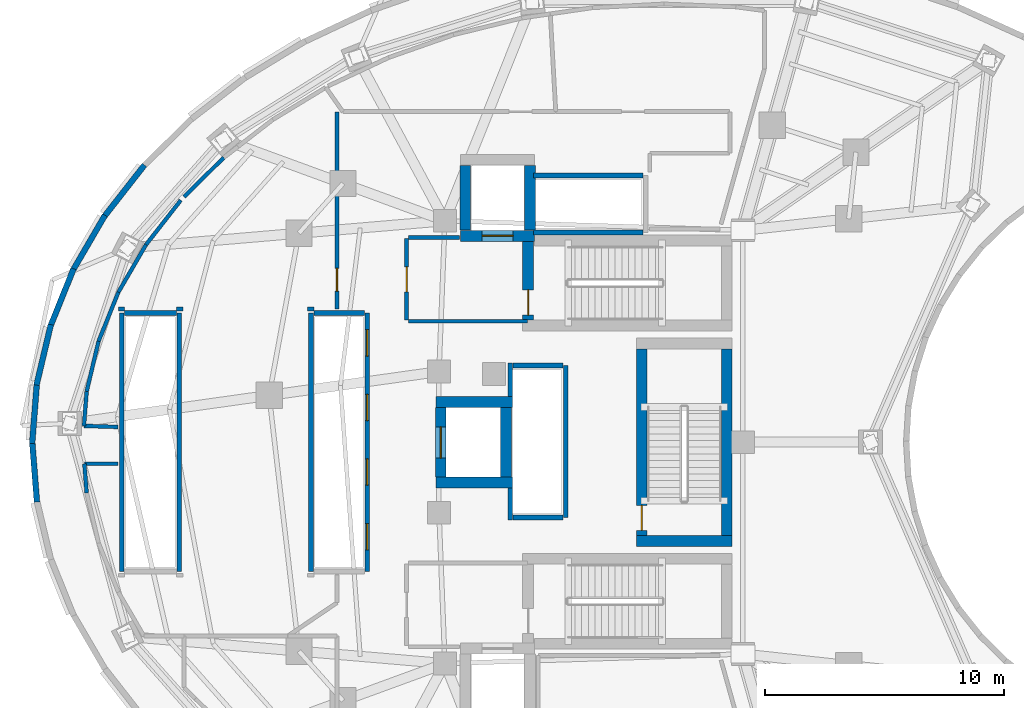
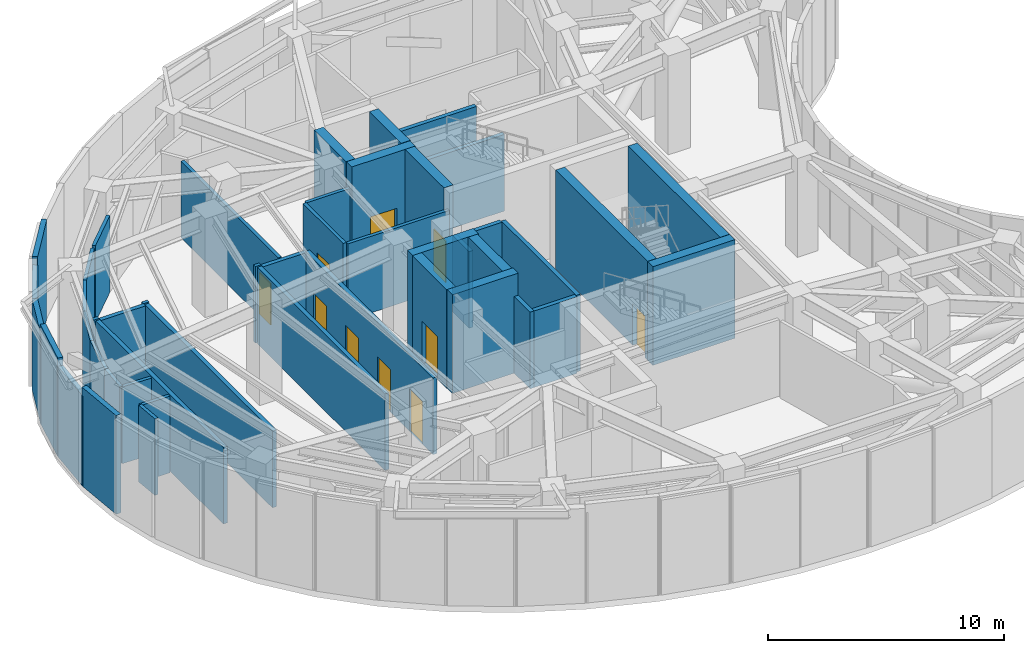
# One storey, part 5 of 10: 46 walls, 10 doors, 10 openings.
"""IFC4 building model written with IfcOpenShell, lengths in metres."""

from ifc_helpers import new_model, si_unit, direction, frame, frame_2d, origin, place, context, subcontext, project, spatial, rectangle, extrude, material, layer, layer_set, type_object, element, fill, save


model = new_model("IFC4")

# Units and contexts
model_context = context("Model", 3, precision=1e-05, world=origin(), true_north=direction((0.0, 1.0)))
body_context = subcontext(model_context, "Body", "Model", "MODEL_VIEW")
ifc_project = project(units=[si_unit("LENGTHUNIT", "METRE"), si_unit("AREAUNIT", "SQUARE_METRE"), si_unit("VOLUMEUNIT", "CUBIC_METRE"), si_unit("PLANEANGLEUNIT", "RADIAN"), si_unit("MASSUNIT", "GRAM", prefix="KILO")], contexts=[model_context])

# Site, building, storey
site_placement = place(None, origin())
site = spatial("IfcSite", under=ifc_project, at=site_placement, CompositionType="ELEMENT")
building_placement = place(site_placement, origin())
building = spatial("IfcBuilding", under=site, at=building_placement, Name="Korentha Bioscience Tower", CompositionType="ELEMENT")
storey_placement = place(building_placement, frame((0.0, 0.0, 148.800048828125)))
storey = spatial("IfcBuildingStorey", under=building, at=storey_placement, Name="L34", CompositionType="ELEMENT", Elevation=148.800048828125)

# Wall, opening, door
ifc_material_1 = material(Name="Gypsum-Clad Steel Stud", Category="steel")
ifc_layer_1 = layer(ifc_material_1, 0.159912109375, Name="Gypsum-Clad Steel Stud")
ifc_layer_set_1 = layer_set([ifc_layer_1], Name="Gypsum-Clad Steel Stud (IW-C160)")
wall_type_1 = type_object("IfcWallType", Name="Fire-Rated Corridor Partition Wall 160", PredefinedType="PARTITIONING", material=ifc_layer_set_1)
wall_1_placement = place(storey_placement, frame((23.5, 32.10009765625, 0.0), z_axis=(0.0, 0.0, 1.0), x_axis=(0.0, 1.0, 0.0)))
wall_1 = element("IfcWall", 1, at=wall_1_placement, inside=storey, type_object=wall_type_1, Name="L34 FFLN-CW Rated Enclosure Wall", PredefinedType="PARTITIONING", context=body_context, shape_type="SweptSolid", body=[
    extrude(rectangle(XDim=3.39990234375, YDim=0.159912109375, at=frame_2d((1.699951171875, 0.0))), origin(), (0.0, 0.0, 1.0), 3.9599609375),
])
opening_1_placement = place(wall_1_placement, frame((1.175048828125, 0.0, 0.0)))
opening_1 = element("IfcOpeningElement", 2, at=opening_1_placement, cuts=wall_1, Name="Opening FD-90L", PredefinedType="OPENING", context=body_context, shape_type="SweptSolid", body=[
    extrude(rectangle(XDim=1.050048828125, YDim=2.14990234375, at=frame_2d((0.52490234375, 1.074951171875))), frame((0.0, 0.0947265625, 0.0), z_axis=(0.0, -1.0, 0.0), x_axis=(1.0, 0.0, 0.0)), (0.0, 0.0, 1.0), 0.189697265625),
])
ifc_material_2 = material(Name="Powder-Coated Fire-Rated Steel", Category="steel")
door_type_1 = type_object("IfcDoorType", Name="Stairwell Fire Exit Door 1050x2150 Left", OperationType="SINGLE_SWING_LEFT", PredefinedType="DOOR", material=ifc_material_2)
door_1_placement = place(opening_1_placement, origin())
door_1 = element("IfcDoor", 3, at=door_1_placement, inside=storey, type_object=door_type_1, Name="L34 North Firefighting Lobby Door", OperationType="SINGLE_SWING_LEFT", OverallHeight=2.14990234375, OverallWidth=1.050048828125, PredefinedType="DOOR", context=body_context, shape_type="SweptSolid", body=[
    extrude(rectangle(XDim=1.050048828125, YDim=2.14990234375, at=frame_2d((0.52490234375, 1.074951171875))), frame((0.0, 0.02490234375, 0.0), z_axis=(0.0, -1.0, 0.0), x_axis=(1.0, 0.0, 0.0)), (0.0, 0.0, 1.0), 0.050048828125),
])
fill(opening_1, door_1)

# Walls
wall_2_placement = place(storey_placement, frame((23.580078125, 32.050048828125, 0.0), z_axis=(0.0, 0.0, 1.0), x_axis=(1.0, 0.0, 0.0)))
element("IfcWall", 4, at=wall_2_placement, inside=storey, type_object=wall_type_1, Name="L34 Firefighting Lobby Return Wall FFLN-S", PredefinedType="PARTITIONING", context=body_context, shape_type="SweptSolid", body=[
    extrude(rectangle(XDim=4.969970703125, YDim=0.159912109375, at=frame_2d((2.48486328125, 0.0))), origin(), (0.0, 0.0, 1.0), 3.9599609375),
])
wall_3_placement = place(storey_placement, frame((23.580078125, 35.550048828125, 0.0), z_axis=(0.0, 0.0, 1.0), x_axis=(1.0, 0.0, 0.0)))
element("IfcWall", 5, at=wall_3_placement, inside=storey, type_object=wall_type_1, Name="L34 Firefighting Lobby Return Wall FFLN-N", PredefinedType="PARTITIONING", context=body_context, shape_type="SweptSolid", body=[
    extrude(rectangle(XDim=2.119873046875, YDim=0.159912109375, at=frame_2d((1.06005859375, 0.0))), origin(), (0.0, 0.0, 1.0), 3.9599609375),
])

# Wall, opening, door
wall_4_placement = place(storey_placement, frame((20.590087890625, 40.800048828125, 0.0), z_axis=(0.0, 0.0, 1.0), x_axis=(0.0, -1.0, 0.0)))
wall_4 = element("IfcWall", 6, at=wall_4_placement, inside=storey, type_object=wall_type_1, Name="L34 Domestic and Fire Booster Water Pump Plant 04 Entrance Wall", PredefinedType="PARTITIONING", context=body_context, shape_type="SweptSolid", body=[
    extrude(rectangle(XDim=8.239990234375, YDim=0.159912109375, at=frame_2d((4.1201171875, 0.0))), origin(), (0.0, 0.0, 1.0), 3.9599609375),
])
opening_2_placement = place(wall_4_placement, frame((6.537109375, 0.0, 0.0)))
opening_2 = element("IfcOpeningElement", 7, at=opening_2_placement, cuts=wall_4, Name="Opening FD-120D", PredefinedType="OPENING", context=body_context, shape_type="SweptSolid", body=[
    extrude(rectangle(XDim=0.949951171875, YDim=2.14990234375, at=frame_2d((0.47509765625, 1.074951171875))), frame((0.0, 0.0947265625, 0.0), z_axis=(0.0, -1.0, 0.0), x_axis=(1.0, 0.0, 0.0)), (0.0, 0.0, 1.0), 0.189697265625),
])
ifc_material_3 = material(Name="Heavy-Duty Insulated Steel", Category="steel")
door_type_2 = type_object("IfcDoorType", Name="Plant & Riser Fire Door 950x2150 Left", OperationType="SINGLE_SWING_LEFT", PredefinedType="DOOR", material=ifc_material_3)
door_2_placement = place(opening_2_placement, origin())
door_2 = element("IfcDoor", 8, at=door_2_placement, inside=storey, type_object=door_type_2, Name="L34 Domestic and Fire Booster Water Pump Plant 04 Door", OperationType="SINGLE_SWING_LEFT", OverallHeight=2.14990234375, OverallWidth=0.949951171875, PredefinedType="DOOR", context=body_context, shape_type="SweptSolid", body=[
    extrude(rectangle(XDim=0.949951171875, YDim=2.14990234375, at=frame_2d((0.47509765625, 1.074951171875))), frame((0.0, 0.02490234375, 0.0), z_axis=(0.0, -1.0, 0.0), x_axis=(1.0, 0.0, 0.0)), (0.0, 0.0, 1.0), 0.050048828125),
])
fill(opening_2, door_2)

# Walls
wall_5_placement = place(storey_placement, frame((10.01611328125, 27.681640625, 0.0), z_axis=(0.0, 0.0, 1.0), x_axis=(0.078135093795, 0.996942780263, 0.0)))
element("IfcWall", 9, at=wall_5_placement, inside=storey, type_object=wall_type_1, Name="L34 Interior Partition 044", PredefinedType="PARTITIONING", context=body_context, shape_type="SweptSolid", body=[
    extrude(rectangle(XDim=1.4404296875, YDim=0.159912109375, at=frame_2d((0.72021484375, 0.0))), origin(), (0.0, 0.0, 1.0), 3.9599609375),
])
wall_6_placement = place(storey_placement, frame((10.128662109375, 29.117919921875, 0.0), z_axis=(0.0, 0.0, 1.0), x_axis=(0.230788212147, 0.973004008796, 0.0)))
element("IfcWall", 10, at=wall_6_placement, inside=storey, type_object=wall_type_1, Name="L34 Interior Partition 045", PredefinedType="PARTITIONING", context=body_context, shape_type="SweptSolid", body=[
    extrude(rectangle(XDim=2.15478515625, YDim=0.159912109375, at=frame_2d((1.077392578125, 0.0))), origin(), (0.0, 0.0, 1.0), 3.9599609375),
])
wall_7_placement = place(storey_placement, frame((10.626220703125, 31.21484375, 0.0), z_axis=(0.0, 0.0, 1.0), x_axis=(0.373975987844, 0.927438386372, 0.0)))
element("IfcWall", 11, at=wall_7_placement, inside=storey, type_object=wall_type_1, Name="L34 Interior Partition 046", PredefinedType="PARTITIONING", context=body_context, shape_type="SweptSolid", body=[
    extrude(rectangle(XDim=2.213134765625, YDim=0.159912109375, at=frame_2d((1.1064453125, 0.0))), origin(), (0.0, 0.0, 1.0), 3.9599609375),
])
wall_8_placement = place(storey_placement, frame((11.4541015625, 33.267822265625, 0.0), z_axis=(0.0, 0.0, 1.0), x_axis=(0.503149473534, 0.864199402501, 0.0)))
element("IfcWall", 12, at=wall_8_placement, inside=storey, type_object=wall_type_1, Name="L34 Interior Partition 047", PredefinedType="PARTITIONING", context=body_context, shape_type="SweptSolid", body=[
    extrude(rectangle(XDim=2.293701171875, YDim=0.159912109375, at=frame_2d((1.14697265625, 0.0))), origin(), (0.0, 0.0, 1.0), 3.9599609375),
])
wall_9_placement = place(storey_placement, frame((12.6083984375, 35.25048828125, 0.0), z_axis=(0.0, 0.0, 1.0), x_axis=(0.615914963643, 0.787812641153, 0.0)))
element("IfcWall", 13, at=wall_9_placement, inside=storey, type_object=wall_type_1, Name="L34 Interior Partition 048", PredefinedType="PARTITIONING", context=body_context, shape_type="SweptSolid", body=[
    extrude(rectangle(XDim=2.360595703125, YDim=0.159912109375, at=frame_2d((1.18017578125, 0.0))), origin(), (0.0, 0.0, 1.0), 3.9599609375),
])
wall_10_placement = place(storey_placement, frame((14.2021484375, 37.253662109375, 0.0), z_axis=(0.0, 0.0, 1.0), x_axis=(0.7114532497, 0.702733429894, 0.0)))
element("IfcWall", 14, at=wall_10_placement, inside=storey, type_object=wall_type_1, Name="L34 Interior Partition 049", PredefinedType="PARTITIONING", context=body_context, shape_type="SweptSolid", body=[
    extrude(rectangle(XDim=2.323974609375, YDim=0.159912109375, at=frame_2d((1.162109375, 0.0))), origin(), (0.0, 0.0, 1.0), 3.9599609375),
])
wall_11_placement = place(storey_placement, frame((19.6201171875, 32.56005859375, 0.0), z_axis=(0.0, 0.0, 1.0), x_axis=(-1.0, 0.0, 0.0)))
element("IfcWall", 15, at=wall_11_placement, inside=storey, type_object=wall_type_1, Name="L34 Interior Partition 053", PredefinedType="PARTITIONING", context=body_context, shape_type="SweptSolid", body=[
    extrude(rectangle(XDim=0.27001953125, YDim=0.159912109375, at=frame_2d((0.135009765625, 0.0))), origin(), (0.0, 0.0, 1.0), 3.9599609375),
])
wall_12_placement = place(storey_placement, frame((10.128662109375, 24.88232421875, 0.0), z_axis=(0.0, 0.0, 1.0), x_axis=(-0.078089790848, 0.996946329832, 0.0)))
element("IfcWall", 16, at=wall_12_placement, inside=storey, type_object=wall_type_1, Name="L34 Interior Partition 061", PredefinedType="PARTITIONING", context=body_context, shape_type="SweptSolid", body=[
    extrude(rectangle(XDim=1.21923828125, YDim=0.159912109375, at=frame_2d((0.609619140625, 0.0))), origin(), (0.0, 0.0, 1.0), 3.9599609375),
])
wall_13_placement = place(storey_placement, frame((10.03369140625, 26.097900390625, 0.0), z_axis=(0.0, 0.0, 1.0), x_axis=(1.0, 0.0, 0.0)))
element("IfcWall", 17, at=wall_13_placement, inside=storey, type_object=wall_type_1, Name="L34 Interior Partition 062", PredefinedType="PARTITIONING", context=body_context, shape_type="SweptSolid", body=[
    extrude(rectangle(XDim=1.40625, YDim=0.159912109375, at=frame_2d((0.703125, 0.0))), origin(), (0.0, 0.0, 1.0), 3.9599609375),
])
for number, where, z_axis, x_axis, name in (
    (18, (14.14990234375, 32.56005859375, 0.0), (0.0, 0.0, 1.0), (-1.0, 0.0, 0.0), "L34 Interior Partition 065"),
    (19, (11.719970703125, 32.56005859375, 0.0), (0.0, 0.0, 1.0), (-1.0, 0.0, 0.0), "L34 Interior Partition 066"),
):
    element("IfcWall", number, at=place(storey_placement, frame(where, z_axis=z_axis, x_axis=x_axis)), inside=storey, type_object=wall_type_1, Name=name, PredefinedType="PARTITIONING", context=body_context, shape_type="SweptSolid", body=[
        extrude(rectangle(XDim=0.27001953125, YDim=0.159912109375, at=frame_2d((0.135009765625, 0.0))), origin(), (0.0, 0.0, 1.0), 3.9599609375),
    ])
wall_14_placement = place(storey_placement, frame((11.43994140625, 27.63427734375, 0.0), z_axis=(0.0, 0.0, 1.0), x_axis=(-0.999452679295, 0.033080838124, 0.0)))
element("IfcWall", 20, at=wall_14_placement, inside=storey, type_object=wall_type_1, Name="L34 Interior Partition 067", PredefinedType="PARTITIONING", context=body_context, shape_type="SweptSolid", body=[
    extrude(rectangle(XDim=1.42431640625, YDim=0.159912109375, at=frame_2d((0.712158203125, 0.0))), origin(), (0.0, 0.0, 1.0), 3.9599609375),
])
ifc_material_4 = material(Name="Autoclaved Aerated Concrete Block C25", Category="concrete")
ifc_layer_2 = layer(ifc_material_4, 0.199951171875, Name="Autoclaved Aerated Concrete Block C25")
ifc_layer_set_2 = layer_set([ifc_layer_2], Name="Autoclaved Aerated Concrete Block C25 (IW-S200)")
wall_type_2 = type_object("IfcWallType", Name="Lift and Riser Shaft Enclosure Wall 200", PredefinedType="PARTITIONING", material=ifc_layer_set_2)
for number, where, z_axis, x_axis, name in (
    (21, (11.60009765625, 21.60009765625, 0.0), (0.0, 0.0, 1.0), (0.0, 1.0, 0.0), "L34 Lift Bank LOW Shaft Wall -X"),
    (22, (14.0, 21.60009765625, 0.0), (0.0, 0.0, 1.0), (0.0, 1.0, 0.0), "L34 Lift Bank LOW Shaft Wall +X"),
):
    element("IfcWall", number, at=place(storey_placement, frame(where, z_axis=z_axis, x_axis=x_axis)), inside=storey, type_object=wall_type_2, Name=name, PredefinedType="PARTITIONING", context=body_context, shape_type="SweptSolid", body=[
        extrude(rectangle(XDim=10.7998046875, YDim=0.199951171875, at=frame_2d((5.39990234375, 0.0))), origin(), (0.0, 0.0, 1.0), 3.9599609375),
    ])
wall_15_placement = place(storey_placement, frame((11.719970703125, 32.39990234375, 0.0), z_axis=(0.0, 0.0, 1.0), x_axis=(1.0, 0.0, 0.0)))
element("IfcWall", 23, at=wall_15_placement, inside=storey, type_object=wall_type_2, Name="L34 Lift Bank LOW Shaft Wall +Y", PredefinedType="PARTITIONING", context=body_context, shape_type="SweptSolid", body=[
    extrude(rectangle(XDim=2.159912109375, YDim=0.199951171875, at=frame_2d((1.080078125, 0.0))), origin(), (0.0, 0.0, 1.0), 3.9599609375),
])
wall_16_placement = place(storey_placement, frame((19.5, 21.60009765625, 0.0), z_axis=(0.0, 0.0, 1.0), x_axis=(0.0, 1.0, 0.0)))
element("IfcWall", 24, at=wall_16_placement, inside=storey, type_object=wall_type_2, Name="L34 Lift Bank MID Shaft Wall -X", PredefinedType="PARTITIONING", context=body_context, shape_type="SweptSolid", body=[
    extrude(rectangle(XDim=10.7998046875, YDim=0.199951171875, at=frame_2d((5.39990234375, 0.0))), origin(), (0.0, 0.0, 1.0), 3.9599609375),
])

# Wall, openings, doors
wall_17_placement = place(storey_placement, frame((21.85009765625, 21.60009765625, 0.0), z_axis=(0.0, 0.0, 1.0), x_axis=(0.0, 1.0, 0.0)))
wall_17 = element("IfcWall", 25, at=wall_17_placement, inside=storey, type_object=wall_type_2, Name="L34 Lift Bank MID Shaft Wall +X", PredefinedType="PARTITIONING", context=body_context, shape_type="SweptSolid", body=[
    extrude(rectangle(XDim=10.7998046875, YDim=0.199951171875, at=frame_2d((5.39990234375, 0.0))), origin(), (0.0, 0.0, 1.0), 3.9599609375),
])
opening_3_placement = place(wall_17_placement, frame((0.89990234375, 0.0, 0.0)))
opening_3 = element("IfcOpeningElement", 26, at=opening_3_placement, cuts=wall_17, Name="Opening LD-11", PredefinedType="OPENING", context=body_context, shape_type="SweptSolid", body=[
    extrude(rectangle(XDim=1.10009765625, YDim=2.199951171875, at=frame_2d((0.550048828125, 1.10009765625))), frame((0.0, 0.11474609375, 0.0), z_axis=(0.0, -1.0, 0.0), x_axis=(1.0, 0.0, 0.0)), (0.0, 0.0, 1.0), 0.229736328125),
])
opening_4_placement = place(wall_17_placement, frame((3.60009765625, 0.0, 0.0)))
opening_4 = element("IfcOpeningElement", 27, at=opening_4_placement, cuts=wall_17, Name="Opening LD-11", PredefinedType="OPENING", context=body_context, shape_type="SweptSolid", body=[
    extrude(rectangle(XDim=1.10009765625, YDim=2.199951171875, at=frame_2d((0.550048828125, 1.10009765625))), frame((0.0, 0.11474609375, 0.0), z_axis=(0.0, -1.0, 0.0), x_axis=(1.0, 0.0, 0.0)), (0.0, 0.0, 1.0), 0.229736328125),
])
opening_5_placement = place(wall_17_placement, frame((6.300048828125, 0.0, 0.0)))
opening_5 = element("IfcOpeningElement", 28, at=opening_5_placement, cuts=wall_17, Name="Opening LD-11", PredefinedType="OPENING", context=body_context, shape_type="SweptSolid", body=[
    extrude(rectangle(XDim=1.10009765625, YDim=2.199951171875, at=frame_2d((0.550048828125, 1.10009765625))), frame((0.0, 0.11474609375, 0.0), z_axis=(0.0, -1.0, 0.0), x_axis=(1.0, 0.0, 0.0)), (0.0, 0.0, 1.0), 0.229736328125),
])
opening_6_placement = place(wall_17_placement, frame((9.0, 0.0, 0.0)))
opening_6 = element("IfcOpeningElement", 29, at=opening_6_placement, cuts=wall_17, Name="Opening LD-11", PredefinedType="OPENING", context=body_context, shape_type="SweptSolid", body=[
    extrude(rectangle(XDim=1.10009765625, YDim=2.199951171875, at=frame_2d((0.550048828125, 1.10009765625))), frame((0.0, 0.11474609375, 0.0), z_axis=(0.0, -1.0, 0.0), x_axis=(1.0, 0.0, 0.0)), (0.0, 0.0, 1.0), 0.229736328125),
])
ifc_material_5 = material(Name="Brushed Stainless Steel 304", Category="steel")
door_type_3 = type_object("IfcDoorType", Name="Passenger Lift Sliding Landing Door 1100x2200", OperationType="DOUBLE_DOOR_SLIDING", PredefinedType="DOOR", material=ifc_material_5)
door_3_placement = place(opening_3_placement, origin())
door_3 = element("IfcDoor", 30, at=door_3_placement, inside=storey, type_object=door_type_3, Name="L34 PL-M1 Sliding Lift Landing Door", OperationType="DOUBLE_DOOR_SLIDING", OverallHeight=2.199951171875, OverallWidth=1.10009765625, PredefinedType="DOOR", context=body_context, shape_type="SweptSolid", body=[
    extrude(rectangle(XDim=1.10009765625, YDim=2.199951171875, at=frame_2d((0.550048828125, 1.10009765625))), frame((0.0, 0.02490234375, 0.0), z_axis=(0.0, -1.0, 0.0), x_axis=(1.0, 0.0, 0.0)), (0.0, 0.0, 1.0), 0.050048828125),
])
fill(opening_3, door_3)
door_4_placement = place(opening_4_placement, origin())
door_4 = element("IfcDoor", 31, at=door_4_placement, inside=storey, type_object=door_type_3, Name="L34 PL-M2 Sliding Lift Landing Door", OperationType="DOUBLE_DOOR_SLIDING", OverallHeight=2.199951171875, OverallWidth=1.10009765625, PredefinedType="DOOR", context=body_context, shape_type="SweptSolid", body=[
    extrude(rectangle(XDim=1.10009765625, YDim=2.199951171875, at=frame_2d((0.550048828125, 1.10009765625))), frame((0.0, 0.02490234375, 0.0), z_axis=(0.0, -1.0, 0.0), x_axis=(1.0, 0.0, 0.0)), (0.0, 0.0, 1.0), 0.050048828125),
])
fill(opening_4, door_4)
door_5_placement = place(opening_5_placement, origin())
door_5 = element("IfcDoor", 32, at=door_5_placement, inside=storey, type_object=door_type_3, Name="L34 PL-M3 Sliding Lift Landing Door", OperationType="DOUBLE_DOOR_SLIDING", OverallHeight=2.199951171875, OverallWidth=1.10009765625, PredefinedType="DOOR", context=body_context, shape_type="SweptSolid", body=[
    extrude(rectangle(XDim=1.10009765625, YDim=2.199951171875, at=frame_2d((0.550048828125, 1.10009765625))), frame((0.0, 0.02490234375, 0.0), z_axis=(0.0, -1.0, 0.0), x_axis=(1.0, 0.0, 0.0)), (0.0, 0.0, 1.0), 0.050048828125),
])
fill(opening_5, door_5)
door_6_placement = place(opening_6_placement, origin())
door_6 = element("IfcDoor", 33, at=door_6_placement, inside=storey, type_object=door_type_3, Name="L34 PL-M4 Sliding Lift Landing Door", OperationType="DOUBLE_DOOR_SLIDING", OverallHeight=2.199951171875, OverallWidth=1.10009765625, PredefinedType="DOOR", context=body_context, shape_type="SweptSolid", body=[
    extrude(rectangle(XDim=1.10009765625, YDim=2.199951171875, at=frame_2d((0.550048828125, 1.10009765625))), frame((0.0, 0.02490234375, 0.0), z_axis=(0.0, -1.0, 0.0), x_axis=(1.0, 0.0, 0.0)), (0.0, 0.0, 1.0), 0.050048828125),
])
fill(opening_6, door_6)

# Walls
wall_18_placement = place(storey_placement, frame((19.6201171875, 32.39990234375, 0.0), z_axis=(0.0, 0.0, 1.0), x_axis=(1.0, 0.0, 0.0)))
element("IfcWall", 34, at=wall_18_placement, inside=storey, type_object=wall_type_2, Name="L34 Lift Bank MID Shaft Wall +Y", PredefinedType="PARTITIONING", context=body_context, shape_type="SweptSolid", body=[
    extrude(rectangle(XDim=2.10986328125, YDim=0.199951171875, at=frame_2d((1.054931640625, 0.0))), origin(), (0.0, 0.0, 1.0), 3.9599609375),
])
wall_19_placement = place(storey_placement, frame((27.830078125, 23.75, 0.0), z_axis=(0.0, 0.0, 1.0), x_axis=(0.0, 1.0, 0.0)))
element("IfcWall", 35, at=wall_19_placement, inside=storey, type_object=wall_type_2, Name="L34 Lift Bank HIGH Shaft Wall -XS", PredefinedType="PARTITIONING", context=body_context, shape_type="SweptSolid", body=[
    extrude(rectangle(XDim=1.341064453125, YDim=0.199951171875, at=frame_2d((0.67041015625, 0.0))), origin(), (0.0, 0.0, 1.0), 3.9599609375),
])
wall_20_placement = place(storey_placement, frame((27.830078125, 28.908935546875, 0.0), z_axis=(0.0, 0.0, 1.0), x_axis=(0.0, 1.0, 0.0)))
element("IfcWall", 36, at=wall_20_placement, inside=storey, type_object=wall_type_2, Name="L34 Lift Bank HIGH Shaft Wall -XN", PredefinedType="PARTITIONING", context=body_context, shape_type="SweptSolid", body=[
    extrude(rectangle(XDim=1.39111328125, YDim=0.199951171875, at=frame_2d((0.695556640625, 0.0))), origin(), (0.0, 0.0, 1.0), 3.9599609375),
])
wall_21_placement = place(storey_placement, frame((30.14990234375, 23.85009765625, 0.0), z_axis=(0.0, 0.0, 1.0), x_axis=(0.0, 1.0, 0.0)))
element("IfcWall", 37, at=wall_21_placement, inside=storey, type_object=wall_type_2, Name="L34 Lift Bank HIGH Shaft Wall +X", PredefinedType="PARTITIONING", context=body_context, shape_type="SweptSolid", body=[
    extrude(rectangle(XDim=6.349853515625, YDim=0.199951171875, at=frame_2d((3.1748046875, 0.0))), origin(), (0.0, 0.0, 1.0), 3.9599609375),
])
for number, where, z_axis, x_axis, name in (
    (38, (27.93408203125, 23.85009765625, 0.0), (0.0, 0.0, 1.0), (1.0, 0.0, 0.0), "L34 Lift Bank HIGH Shaft Wall -Y"),
    (39, (27.93408203125, 30.199951171875, 0.0), (0.0, 0.0, 1.0), (1.0, 0.0, 0.0), "L34 Lift Bank HIGH Shaft Wall +Y"),
):
    element("IfcWall", number, at=place(storey_placement, frame(where, z_axis=z_axis, x_axis=x_axis)), inside=storey, type_object=wall_type_2, Name=name, PredefinedType="PARTITIONING", context=body_context, shape_type="SweptSolid", body=[
        extrude(rectangle(XDim=2.095947265625, YDim=0.199951171875, at=frame_2d((1.0478515625, 0.0))), origin(), (0.0, 0.0, 1.0), 3.9599609375),
    ])
for number, where, z_axis, x_axis, name in (
    (40, (28.800048828125, 35.760009765625, 0.0), (0.0, 0.0, 1.0), (1.0, 0.0, 0.0), "L34 Lift Bank OBS Shaft Wall -Y"),
    (41, (28.800048828125, 38.139892578125, 0.0), (0.0, 0.0, 1.0), (1.0, 0.0, 0.0), "L34 Lift Bank OBS Shaft Wall +Y"),
):
    element("IfcWall", number, at=place(storey_placement, frame(where, z_axis=z_axis, x_axis=x_axis)), inside=storey, type_object=wall_type_2, Name=name, PredefinedType="PARTITIONING", context=body_context, shape_type="SweptSolid", body=[
        extrude(rectangle(XDim=4.570068359375, YDim=0.199951171875, at=frame_2d((2.28515625, 0.0))), origin(), (0.0, 0.0, 1.0), 3.9599609375),
    ])

# Wall, opening, door
ifc_material_6 = material(Name="Concrete C80", Category="concrete")
ifc_layer_3 = layer(ifc_material_6, 0.449951171875, Name="Concrete C80")
ifc_layer_set_3 = layer_set([ifc_layer_3], Name="Concrete C80 (CW-C80)")
wall_type_3 = type_object("IfcWallType", Name="Lower Core Shear Wall 450", PredefinedType="SHEAR", material=ifc_layer_set_3)
wall_22_placement = place(storey_placement, frame((28.574951171875, 32.110107421875, 0.0), z_axis=(0.0, 0.0, 1.0), x_axis=(0.0, 1.0, 0.0)))
wall_22 = element("IfcWall", 42, at=wall_22_placement, inside=storey, type_object=wall_type_3, Name="L34 Core Shear Wall ST1-W", PredefinedType="SHEAR", context=body_context, shape_type="SweptSolid", body=[
    extrude(rectangle(XDim=3.282958984375, YDim=0.449951171875, at=frame_2d((1.6416015625, 0.0))), origin(), (0.0, 0.0, 1.0), 5.099853515625),
])
opening_7_placement = place(wall_22_placement, frame((0.199951171875, 0.0, 0.0)))
opening_7 = element("IfcOpeningElement", 43, at=opening_7_placement, cuts=wall_22, Name="Opening FD-90L", PredefinedType="OPENING", context=body_context, shape_type="SweptSolid", body=[
    extrude(rectangle(XDim=1.050048828125, YDim=2.14990234375, at=frame_2d((0.52490234375, 1.074951171875))), frame((0.0, 0.23974609375, 0.0), z_axis=(0.0, -1.0, 0.0), x_axis=(1.0, 0.0, 0.0)), (0.0, 0.0, 1.0), 0.479736328125),
])
door_7_placement = place(opening_7_placement, origin())
door_7 = element("IfcDoor", 44, at=door_7_placement, inside=storey, type_object=door_type_1, Name="L34 ST-1 Fire Exit Stair Door", OperationType="SINGLE_SWING_LEFT", OverallHeight=2.14990234375, OverallWidth=1.050048828125, PredefinedType="DOOR", context=body_context, shape_type="SweptSolid", body=[
    extrude(rectangle(XDim=1.050048828125, YDim=2.14990234375, at=frame_2d((0.52490234375, 1.074951171875))), frame((0.0, 0.02490234375, 0.0), z_axis=(0.0, -1.0, 0.0), x_axis=(1.0, 0.0, 0.0)), (0.0, 0.0, 1.0), 0.050048828125),
])
fill(opening_7, door_7)

# Walls
wall_23_placement = place(storey_placement, frame((33.10009765625, 22.875, 0.0), z_axis=(0.0, 0.0, 1.0), x_axis=(1.0, 0.0, 0.0)))
element("IfcWall", 45, at=wall_23_placement, inside=storey, type_object=wall_type_3, Name="L34 Core Shear Wall ST3-S", PredefinedType="SHEAR", context=body_context, shape_type="SweptSolid", body=[
    extrude(rectangle(XDim=4.0, YDim=0.449951171875, at=frame_2d((2.0, 0.0))), origin(), (0.0, 0.0, 1.0), 5.099853515625),
])
wall_24_placement = place(storey_placement, frame((36.875, 23.110107421875, 0.0), z_axis=(0.0, 0.0, 1.0), x_axis=(0.0, 1.0, 0.0)))
element("IfcWall", 46, at=wall_24_placement, inside=storey, type_object=wall_type_3, Name="L34 Core Shear Wall ST3-E", PredefinedType="SHEAR", context=body_context, shape_type="SweptSolid", body=[
    extrude(rectangle(XDim=7.77978515625, YDim=0.449951171875, at=frame_2d((3.889892578125, 0.0))), origin(), (0.0, 0.0, 1.0), 5.099853515625),
])

# Wall, opening, door
wall_25_placement = place(storey_placement, frame((33.324951171875, 23.110107421875, 0.0), z_axis=(0.0, 0.0, 1.0), x_axis=(0.0, 1.0, 0.0)))
wall_25 = element("IfcWall", 47, at=wall_25_placement, inside=storey, type_object=wall_type_3, Name="L34 Core Shear Wall ST3-W", PredefinedType="SHEAR", context=body_context, shape_type="SweptSolid", body=[
    extrude(rectangle(XDim=7.77978515625, YDim=0.449951171875, at=frame_2d((3.889892578125, 0.0))), origin(), (0.0, 0.0, 1.0), 5.099853515625),
])
opening_8_placement = place(wall_25_placement, frame((0.199951171875, 0.0, 0.0)))
opening_8 = element("IfcOpeningElement", 48, at=opening_8_placement, cuts=wall_25, Name="Opening FD-90L", PredefinedType="OPENING", context=body_context, shape_type="SweptSolid", body=[
    extrude(rectangle(XDim=1.050048828125, YDim=2.14990234375, at=frame_2d((0.52490234375, 1.074951171875))), frame((0.0, 0.23974609375, 0.0), z_axis=(0.0, -1.0, 0.0), x_axis=(1.0, 0.0, 0.0)), (0.0, 0.0, 1.0), 0.479736328125),
])
door_8_placement = place(opening_8_placement, origin())
door_8 = element("IfcDoor", 49, at=door_8_placement, inside=storey, type_object=door_type_1, Name="L34 ST-3 Fire Exit Stair Door", OperationType="SINGLE_SWING_LEFT", OverallHeight=2.14990234375, OverallWidth=1.050048828125, PredefinedType="DOOR", context=body_context, shape_type="SweptSolid", body=[
    extrude(rectangle(XDim=1.050048828125, YDim=2.14990234375, at=frame_2d((0.52490234375, 1.074951171875))), frame((0.0, 0.02490234375, 0.0), z_axis=(0.0, -1.0, 0.0), x_axis=(1.0, 0.0, 0.0)), (0.0, 0.0, 1.0), 0.050048828125),
])
fill(opening_8, door_8)

wall_26_placement = place(storey_placement, frame((25.75, 35.6201171875, 0.0), z_axis=(0.0, 0.0, 1.0), x_axis=(1.0, 0.0, 0.0)))
wall_26 = element("IfcWall", 50, at=wall_26_placement, inside=storey, type_object=wall_type_3, Name="L34 Core Shear Wall FFL2-S", PredefinedType="SHEAR", context=body_context, shape_type="SweptSolid", body=[
    extrude(rectangle(XDim=3.10009765625, YDim=0.449951171875, at=frame_2d((1.550048828125, 0.0))), origin(), (0.0, 0.0, 1.0), 5.099853515625),
])
opening_9_placement = place(wall_26_placement, frame((0.89990234375, 0.0, 0.0)))
opening_9 = element("IfcOpeningElement", 51, at=opening_9_placement, cuts=wall_26, Name="Opening LD-13", PredefinedType="OPENING", context=body_context, shape_type="SweptSolid", body=[
    extrude(rectangle(XDim=1.300048828125, YDim=2.199951171875, at=frame_2d((0.64990234375, 1.10009765625))), frame((0.0, 0.23974609375, 0.0), z_axis=(0.0, -1.0, 0.0), x_axis=(1.0, 0.0, 0.0)), (0.0, 0.0, 1.0), 0.479736328125),
])
ifc_material_7 = material(Name="Brushed Stainless Steel 316", Category="steel")
door_type_4 = type_object("IfcDoorType", Name="Service & Firefighting Lift Landing Door 1300x2300", OperationType="DOUBLE_DOOR_SLIDING", PredefinedType="DOOR", material=ifc_material_7)
door_9_placement = place(opening_9_placement, origin())
door_9 = element("IfcDoor", 52, at=door_9_placement, inside=storey, type_object=door_type_4, Name="L34 FFL-2 Sliding Lift Landing Door", OperationType="DOUBLE_DOOR_SLIDING", OverallHeight=2.199951171875, OverallWidth=1.300048828125, PredefinedType="DOOR", context=body_context, shape_type="SweptSolid", body=[
    extrude(rectangle(XDim=1.300048828125, YDim=2.199951171875, at=frame_2d((0.64990234375, 1.10009765625))), frame((0.0, 0.02490234375, 0.0), z_axis=(0.0, -1.0, 0.0), x_axis=(1.0, 0.0, 0.0)), (0.0, 0.0, 1.0), 0.050048828125),
])
fill(opening_9, door_9)

# Walls
for number, where, z_axis, x_axis, name in (
    (53, (25.949951171875, 35.860107421875, 0.0), (0.0, 0.0, 1.0), (0.0, 1.0, 0.0), "L34 Core Shear Wall FFL2-W"),
    (54, (28.64990234375, 35.860107421875, 0.0), (0.0, 0.0, 1.0), (0.0, 1.0, 0.0), "L34 Core Shear Wall FFL2-E"),
):
    element("IfcWall", number, at=place(storey_placement, frame(where, z_axis=z_axis, x_axis=x_axis)), inside=storey, type_object=wall_type_3, Name=name, PredefinedType="SHEAR", context=body_context, shape_type="SweptSolid", body=[
        extrude(rectangle(XDim=2.699951171875, YDim=0.449951171875, at=frame_2d((1.35009765625, 0.0))), origin(), (0.0, 0.0, 1.0), 5.099853515625),
    ])
for number, where, z_axis, x_axis, name in (
    (55, (24.719970703125, 28.679931640625, 0.0), (0.0, 0.0, 1.0), (1.0, 0.0, 0.0), "L34 Core Shear Wall SVL1-N"),
    (56, (24.719970703125, 25.320068359375, 0.0), (0.0, 0.0, 1.0), (1.0, 0.0, 0.0), "L34 Core Shear Wall SVL1-S"),
):
    element("IfcWall", number, at=place(storey_placement, frame(where, z_axis=z_axis, x_axis=x_axis)), inside=storey, type_object=wall_type_3, Name=name, PredefinedType="SHEAR", context=body_context, shape_type="SweptSolid", body=[
        extrude(rectangle(XDim=3.2099609375, YDim=0.449951171875, at=frame_2d((1.60498046875, 0.0))), origin(), (0.0, 0.0, 1.0), 5.099853515625),
    ])

# Wall, opening, door
wall_27_placement = place(storey_placement, frame((24.919921875, 25.547119140625, 0.0), z_axis=(0.0, 0.0, 1.0), x_axis=(0.0, 1.0, 0.0)))
wall_27 = element("IfcWall", 57, at=wall_27_placement, inside=storey, type_object=wall_type_3, Name="L34 Core Shear Wall SVL1-W", PredefinedType="SHEAR", context=body_context, shape_type="SweptSolid", body=[
    extrude(rectangle(XDim=2.90576171875, YDim=0.449951171875, at=frame_2d((1.452880859375, 0.0))), origin(), (0.0, 0.0, 1.0), 5.099853515625),
])
opening_10_placement = place(wall_27_placement, frame((0.7900390625, 0.0, 0.0)))
opening_10 = element("IfcOpeningElement", 58, at=opening_10_placement, cuts=wall_27, Name="Opening LD-13", PredefinedType="OPENING", context=body_context, shape_type="SweptSolid", body=[
    extrude(rectangle(XDim=1.300048828125, YDim=2.199951171875, at=frame_2d((0.64990234375, 1.10009765625))), frame((0.0, 0.23974609375, 0.0), z_axis=(0.0, -1.0, 0.0), x_axis=(1.0, 0.0, 0.0)), (0.0, 0.0, 1.0), 0.479736328125),
])
door_10_placement = place(opening_10_placement, origin())
door_10 = element("IfcDoor", 59, at=door_10_placement, inside=storey, type_object=door_type_4, Name="L34 SVL-1 Sliding Lift Landing Door", OperationType="DOUBLE_DOOR_SLIDING", OverallHeight=2.199951171875, OverallWidth=1.300048828125, PredefinedType="DOOR", context=body_context, shape_type="SweptSolid", body=[
    extrude(rectangle(XDim=1.300048828125, YDim=2.199951171875, at=frame_2d((0.64990234375, 1.10009765625))), frame((0.0, 0.02490234375, 0.0), z_axis=(0.0, -1.0, 0.0), x_axis=(1.0, 0.0, 0.0)), (0.0, 0.0, 1.0), 0.050048828125),
])
fill(opening_10, door_10)

# Walls
wall_28_placement = place(storey_placement, frame((27.64990234375, 25.547119140625, 0.0), z_axis=(0.0, 0.0, 1.0), x_axis=(0.0, 1.0, 0.0)))
element("IfcWall", 60, at=wall_28_placement, inside=storey, type_object=wall_type_3, Name="L34 Core Shear Wall SVL1-E", PredefinedType="SHEAR", context=body_context, shape_type="SweptSolid", body=[
    extrude(rectangle(XDim=2.90576171875, YDim=0.449951171875, at=frame_2d((1.452880859375, 0.0))), origin(), (0.0, 0.0, 1.0), 5.099853515625),
])
ifc_material_8 = material(Name="Insulated Precast Concrete C40", Category="concrete")
ifc_layer_4 = layer(ifc_material_8, 0.239990234375, Name="Insulated Precast Concrete C40")
ifc_layer_set_4 = layer_set([ifc_layer_4], Name="Insulated Precast Concrete C40 (EW-PL240)")
wall_type_4 = type_object("IfcWallType", Name="Plant Acoustic Louvre Backup Wall 240", PredefinedType="STANDARD", material=ifc_layer_set_4)
wall_29_placement = place(storey_placement, frame((12.544677734375, 38.57861328125, 0.0), z_axis=(0.0, 0.0, 1.0), x_axis=(-0.615887335046, -0.787834240516, 0.0)))
element("IfcWall", 61, at=wall_29_placement, inside=storey, type_object=wall_type_4, Name="L34 Plant Louvre Backup Wall 14", PredefinedType="STANDARD", context=body_context, shape_type="SweptSolid", body=[
    extrude(rectangle(XDim=2.784423828125, YDim=0.239990234375, at=frame_2d((1.39208984375, 0.0))), origin(), (0.0, 0.0, 1.0), 5.099853515625),
])
wall_30_placement = place(storey_placement, frame((10.89501953125, 36.481201171875, 0.0), z_axis=(0.0, 0.0, 1.0), x_axis=(-0.503186464094, -0.864177864998, 0.0)))
element("IfcWall", 62, at=wall_30_placement, inside=storey, type_object=wall_type_4, Name="L34 Plant Louvre Backup Wall 15", PredefinedType="STANDARD", context=body_context, shape_type="SweptSolid", body=[
    extrude(rectangle(XDim=2.705810546875, YDim=0.239990234375, at=frame_2d((1.35302734375, 0.0))), origin(), (0.0, 0.0, 1.0), 4.669921875),
])
wall_31_placement = place(storey_placement, frame((9.5849609375, 34.247802734375, 0.0), z_axis=(0.0, 0.0, 1.0), x_axis=(-0.37403502612, -0.927414577864, 0.0)))
element("IfcWall", 63, at=wall_31_placement, inside=storey, type_object=wall_type_4, Name="L34 Plant Louvre Backup Wall 16", PredefinedType="STANDARD", context=body_context, shape_type="SweptSolid", body=[
    extrude(rectangle(XDim=2.640869140625, YDim=0.239990234375, at=frame_2d((1.3203125, 0.0))), origin(), (0.0, 0.0, 1.0), 4.669921875),
])
wall_32_placement = place(storey_placement, frame((8.6328125, 31.91064453125, 0.0), z_axis=(0.0, 0.0, 1.0), x_axis=(-0.230848601632, -0.972989682949, 0.0)))
element("IfcWall", 64, at=wall_32_placement, inside=storey, type_object=wall_type_4, Name="L34 Plant Louvre Backup Wall 17", PredefinedType="STANDARD", context=body_context, shape_type="SweptSolid", body=[
    extrude(rectangle(XDim=2.59423828125, YDim=0.239990234375, at=frame_2d((1.297119140625, 0.0))), origin(), (0.0, 0.0, 1.0), 5.099853515625),
])
wall_33_placement = place(storey_placement, frame((8.05224609375, 29.503173828125, 0.0), z_axis=(0.0, 0.0, 1.0), x_axis=(-0.07798946019, -0.996954183551, 0.0)))
element("IfcWall", 65, at=wall_33_placement, inside=storey, type_object=wall_type_4, Name="L34 Plant Louvre Backup Wall 18", PredefinedType="STANDARD", context=body_context, shape_type="SweptSolid", body=[
    extrude(rectangle(XDim=2.570068359375, YDim=0.239990234375, at=frame_2d((1.28515625, 0.0))), origin(), (0.0, 0.0, 1.0), 4.669921875),
])
wall_34_placement = place(storey_placement, frame((7.851806640625, 27.05908203125, 0.0), z_axis=(0.0, 0.0, 1.0), x_axis=(0.07798946019, -0.996954183551, 0.0)))
element("IfcWall", 66, at=wall_34_placement, inside=storey, type_object=wall_type_4, Name="L34 Plant Louvre Backup Wall 19", PredefinedType="STANDARD", context=body_context, shape_type="SweptSolid", body=[
    extrude(rectangle(XDim=2.570068359375, YDim=0.239990234375, at=frame_2d((1.28515625, 0.0))), origin(), (0.0, 0.0, 1.0), 5.099853515625),
])

save(model, "model.ifc")
